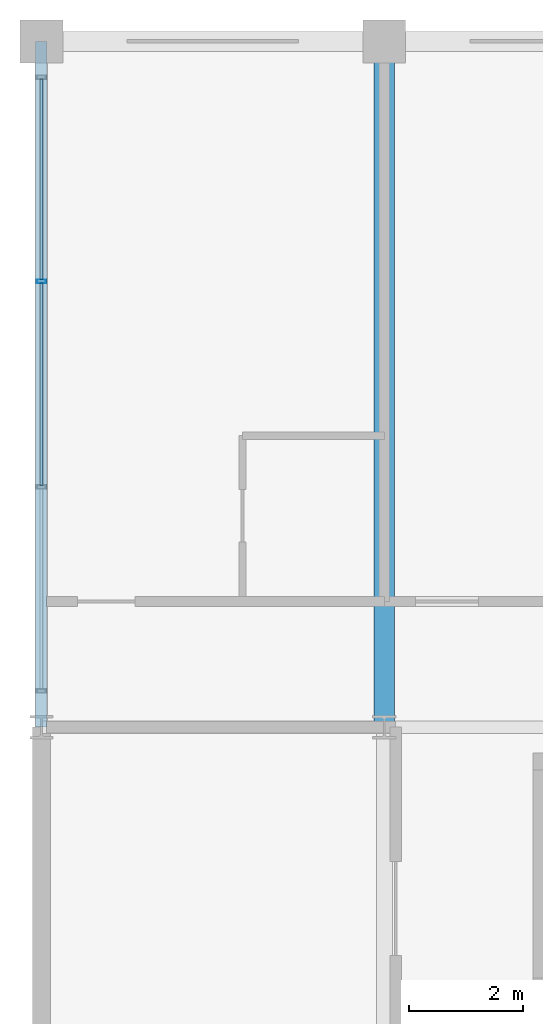
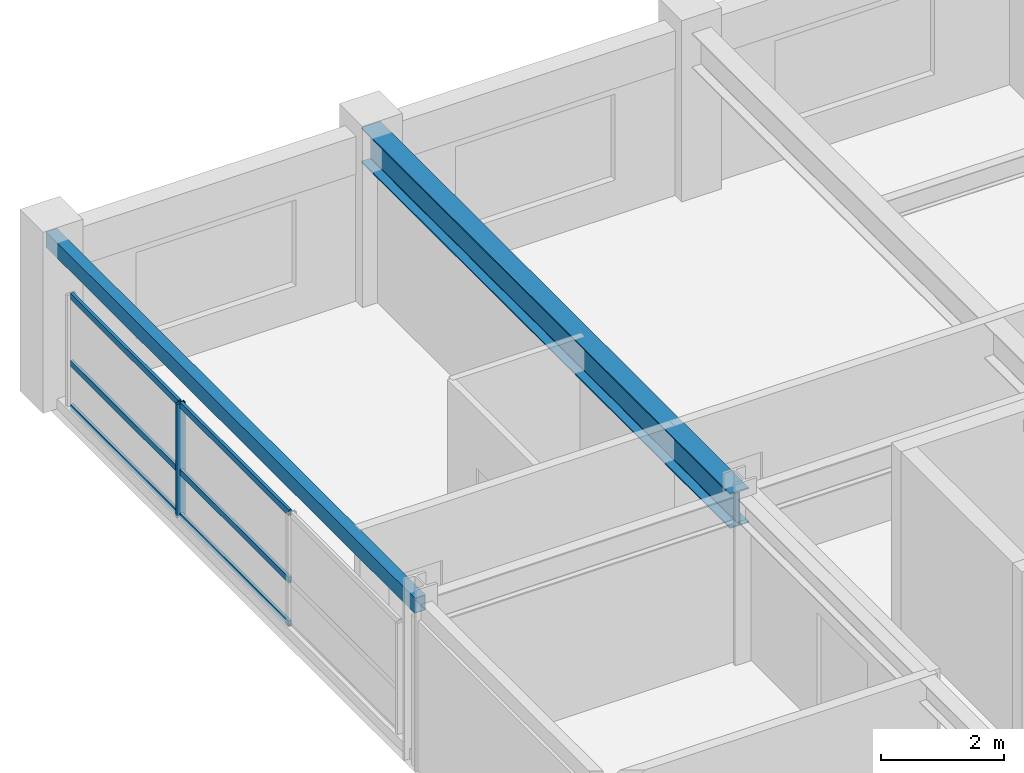
# One storey, part 7 of 20: 7 members, 2 beams, 1 element without a shape of its own.
"""IFC4 building model written with IfcOpenShell, lengths in metres."""

from ifc_helpers import new_model, si_unit, direction, frame, origin, origin_2d, place, context, subcontext, project, spatial, hollow_rectangle, i_section, extrude, material, material_profile, profile_set, type_object, element, aggregate, save


model = new_model("IFC4")

# Units and contexts
model_context = context("Model", 3, precision=1e-05, world=origin(), true_north=direction((0.0, 1.0)))
body_context = subcontext(model_context, "Body", "Model", "MODEL_VIEW")
ifc_project = project(units=[si_unit("LENGTHUNIT", "METRE"), si_unit("AREAUNIT", "SQUARE_METRE"), si_unit("VOLUMEUNIT", "CUBIC_METRE"), si_unit("PLANEANGLEUNIT", "RADIAN"), si_unit("MASSUNIT", "GRAM", prefix="KILO")], contexts=[model_context])

# Site, building, storey
site_placement = place(None, origin())
site = spatial("IfcSite", under=ifc_project, at=site_placement, CompositionType="ELEMENT")
building_placement = place(site_placement, origin())
building = spatial("IfcBuilding", under=site, at=building_placement, Name="Kaldorvane Square Convention Centre", CompositionType="ELEMENT")
storey_placement = place(building_placement, frame((0.0, 0.0, 52.80000305175781)))
storey = spatial("IfcBuildingStorey", under=building, at=storey_placement, Name="L12", CompositionType="ELEMENT", Elevation=52.80000305175781)

# Beams
ifc_material_1 = material(Name="Steel ASTM A992 Gr. 50", Category="steel")
ifc_material_profile_1 = material_profile(ifc_material_1, i_section(OverallWidth=0.354705810546875, OverallDepth=0.69549560546875, WebThickness=0.0153961181640625, FlangeThickness=0.0251007080078125, FilletRadius=0.01519775390625, at=origin_2d()), Name="W27X146")
ifc_profile_set_1 = profile_set([ifc_material_profile_1], Name="Steel ASTM A992 Gr. 50")
beam_type_1 = type_object("IfcBeamType", Name="BM-GR-W27X146", PredefinedType="BEAM", material=ifc_profile_set_1)
beam_1_placement = place(storey_placement, frame((36.0, 105.0, 2.93829345703125), z_axis=(0.0, 1.0, 0.0), x_axis=(-1.0, 0.0, 0.0)))
element("IfcBeam", 1, at=beam_1_placement, inside=storey, type_object=beam_type_1, Name="Transverse Girder (L12)", PredefinedType="BEAM", context=body_context, shape_type="SweptSolid", body=[
    extrude(i_section(OverallWidth=0.354705810546875, OverallDepth=0.69549560546875, WebThickness=0.0153961181640625, FlangeThickness=0.0251007080078125, FilletRadius=0.01519775390625, at=origin_2d()), origin(), (0.0, 0.0, 1.0), 12.0),
])
ifc_material_2 = material(Name="Steel ASTM A500 Gr. C", Category="steel")
ifc_material_profile_2 = material_profile(ifc_material_2, hollow_rectangle(XDim=0.2032012939453125, YDim=0.3047943115234375, WallThickness=0.0088958740234375, at=origin_2d()), Name="HSS12X8X3/8")
ifc_profile_set_2 = profile_set([ifc_material_profile_2], Name="Steel ASTM A500 Gr. C")
beam_type_2 = type_object("IfcBeamType", Name="BM-SP-HSS12", PredefinedType="SPANDREL", material=ifc_profile_set_2)
beam_2_placement = place(storey_placement, frame((30.0, 105.0, 3.1335906982421875), z_axis=(0.0, 1.0, 0.0), x_axis=(-1.0, 0.0, 0.0)))
element("IfcBeam", 2, at=beam_2_placement, inside=storey, type_object=beam_type_2, Name="End Spandrel (L12)", PredefinedType="SPANDREL", context=body_context, shape_type="SweptSolid", body=[
    extrude(hollow_rectangle(XDim=0.2032012939453125, YDim=0.3047943115234375, WallThickness=0.0088958740234375, at=origin_2d()), origin(), (0.0, 0.0, 1.0), 12.0),
])

# Curtain wall, members
ifc_material_3 = material(Name="Anodized Aluminum and Low-E Insulated Glazing", Category="aluminium")
curtain_wall_type = type_object("IfcCurtainWallType", Name="CW-UNI-HTL-B", PredefinedType="USERDEFINED", material=ifc_material_3)
curtain_wall_placement = place(storey_placement, origin())
curtain_wall = element("IfcCurtainWall", 3, at=curtain_wall_placement, inside=storey, type_object=curtain_wall_type, Name="Curtain Wall CW-11 (L12)", ObjectType="UNITISED GLAZING", PredefinedType="USERDEFINED")
ifc_material_profile_3 = material_profile(ifc_material_3, hollow_rectangle(XDim=0.05999755859375, YDim=0.160003662109375, WallThickness=0.003204345703125, at=origin_2d()), Name="CWM-160X60")
ifc_profile_set_3 = profile_set([ifc_material_profile_3], Name="Anodized Aluminum and Low-E Insulated Glazing")
member_type_1 = type_object("IfcMemberType", Name="CW-MUL-160", PredefinedType="MULLION", material=ifc_profile_set_3)
member_1_placement = place(storey_placement, frame((30.0, 112.80000305175781, 0.149993896484375), z_axis=(0.0, 0.0, 1.0), x_axis=(0.0, -1.0, 0.0)))
member_1 = element("IfcMember", 4, at=member_1_placement, type_object=member_type_1, Name="CW-11 mullion 2", PredefinedType="MULLION", context=body_context, shape_type="SweptSolid", body=[
    extrude(hollow_rectangle(XDim=0.05999755859375, YDim=0.160003662109375, WallThickness=0.003204345703125, at=origin_2d()), origin(), (0.0, 0.0, 1.0), 2.260009765625),
])
ifc_material_profile_4 = material_profile(ifc_material_3, hollow_rectangle(XDim=0.05499267578125, YDim=0.1199951171875, WallThickness=0.0030059814453125, at=origin_2d()), Name="CWT-120X55")
ifc_profile_set_4 = profile_set([ifc_material_profile_4], Name="Anodized Aluminum and Low-E Insulated Glazing")
member_type_2 = type_object("IfcMemberType", Name="CW-TRN-120", PredefinedType="USERDEFINED", material=ifc_profile_set_4)
member_2_placement = place(storey_placement, frame((30.0, 116.33999633789062, 0.177490234375), z_axis=(0.0, -1.0, 0.0), x_axis=(1.0, 0.0, 0.0)))
member_2 = element("IfcMember", 5, at=member_2_placement, type_object=member_type_2, Name="CW-11 transom 1.1", ObjectType="TRANSOM", PredefinedType="USERDEFINED", context=body_context, shape_type="SweptSolid", body=[
    extrude(hollow_rectangle(XDim=0.05499267578125, YDim=0.1199951171875, WallThickness=0.0030059814453125, at=origin_2d()), origin(), (0.0, 0.0, 1.0), 3.5099945068359375),
])
member_3_placement = place(storey_placement, frame((30.0, 116.33999633789062, 1.0500030517578125), z_axis=(0.0, -1.0, 0.0), x_axis=(1.0, 0.0, 0.0)))
member_3 = element("IfcMember", 6, at=member_3_placement, type_object=member_type_2, Name="CW-11 transom 1.2", ObjectType="TRANSOM", PredefinedType="USERDEFINED", context=body_context, shape_type="SweptSolid", body=[
    extrude(hollow_rectangle(XDim=0.05499267578125, YDim=0.1199951171875, WallThickness=0.0030059814453125, at=origin_2d()), origin(), (0.0, 0.0, 1.0), 3.5099945068359375),
])
member_4_placement = place(storey_placement, frame((30.0, 116.33999633789062, 2.3824920654296875), z_axis=(0.0, -1.0, 0.0), x_axis=(1.0, 0.0, 0.0)))
member_4 = element("IfcMember", 7, at=member_4_placement, type_object=member_type_2, Name="CW-11 transom 1.3", ObjectType="TRANSOM", PredefinedType="USERDEFINED", context=body_context, shape_type="SweptSolid", body=[
    extrude(hollow_rectangle(XDim=0.05499267578125, YDim=0.1199951171875, WallThickness=0.0030059814453125, at=origin_2d()), origin(), (0.0, 0.0, 1.0), 3.5099945068359375),
])
member_5_placement = place(storey_placement, frame((30.0, 112.77000427246094, 0.177490234375), z_axis=(0.0, -1.0, 0.0), x_axis=(1.0, 0.0, 0.0)))
member_5 = element("IfcMember", 8, at=member_5_placement, type_object=member_type_2, Name="CW-11 transom 2.1", ObjectType="TRANSOM", PredefinedType="USERDEFINED", context=body_context, shape_type="SweptSolid", body=[
    extrude(hollow_rectangle(XDim=0.05499267578125, YDim=0.1199951171875, WallThickness=0.0030059814453125, at=origin_2d()), origin(), (0.0, 0.0, 1.0), 3.540008544921875),
])
member_6_placement = place(storey_placement, frame((30.0, 112.77000427246094, 1.0500030517578125), z_axis=(0.0, -1.0, 0.0), x_axis=(1.0, 0.0, 0.0)))
member_6 = element("IfcMember", 9, at=member_6_placement, type_object=member_type_2, Name="CW-11 transom 2.2", ObjectType="TRANSOM", PredefinedType="USERDEFINED", context=body_context, shape_type="SweptSolid", body=[
    extrude(hollow_rectangle(XDim=0.05499267578125, YDim=0.1199951171875, WallThickness=0.0030059814453125, at=origin_2d()), origin(), (0.0, 0.0, 1.0), 3.540008544921875),
])
member_7_placement = place(storey_placement, frame((30.0, 112.77000427246094, 2.3824920654296875), z_axis=(0.0, -1.0, 0.0), x_axis=(1.0, 0.0, 0.0)))
member_7 = element("IfcMember", 10, at=member_7_placement, type_object=member_type_2, Name="CW-11 transom 2.3", ObjectType="TRANSOM", PredefinedType="USERDEFINED", context=body_context, shape_type="SweptSolid", body=[
    extrude(hollow_rectangle(XDim=0.05499267578125, YDim=0.1199951171875, WallThickness=0.0030059814453125, at=origin_2d()), origin(), (0.0, 0.0, 1.0), 3.540008544921875),
])
aggregate(curtain_wall, [member_1, member_2, member_3, member_4, member_5, member_6, member_7])

save(model, "model.ifc")
